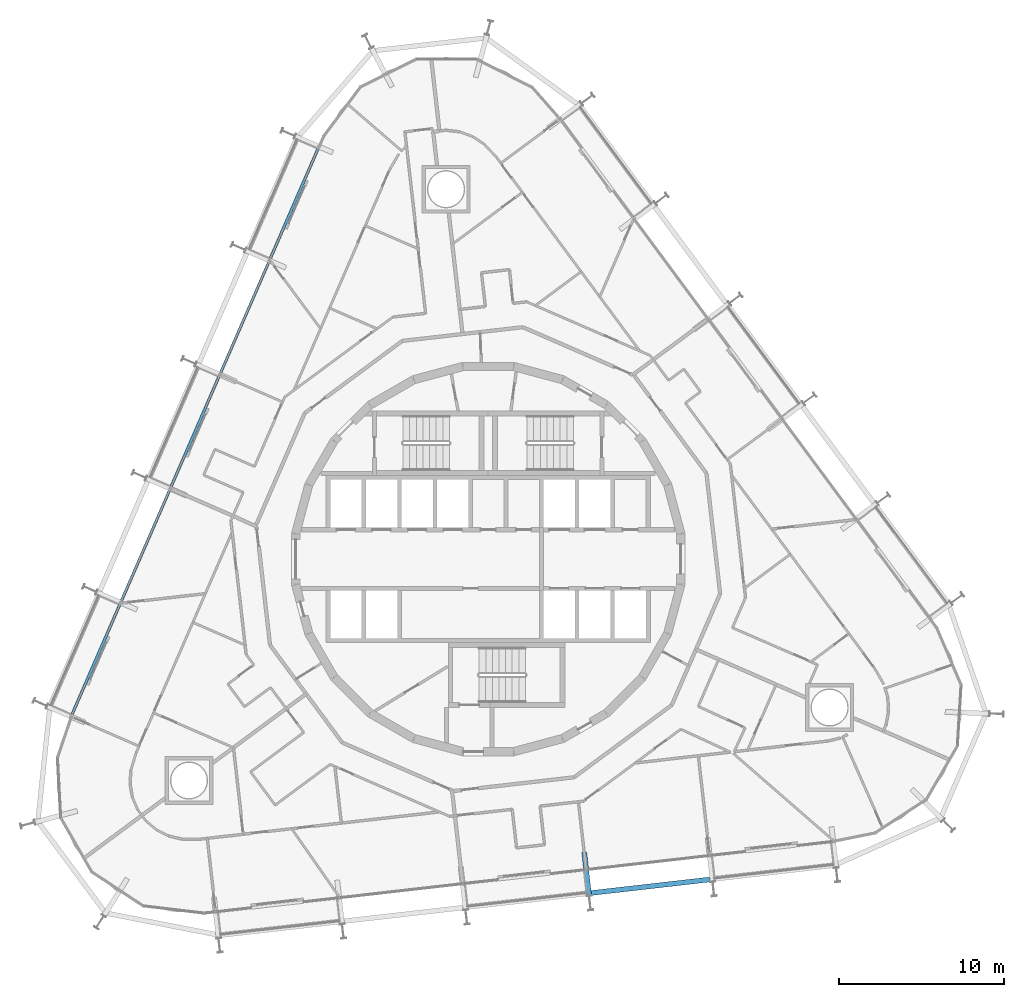
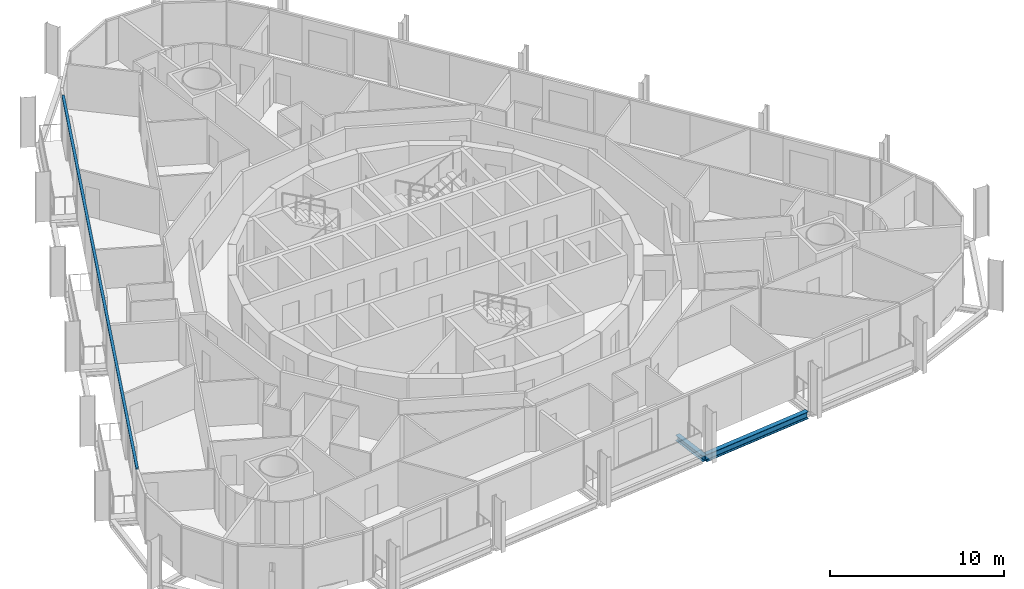
# One storey, part 6 of 24: 2 beams, 1 member, 1 element without a shape of its own.
"""IFC4 building model written with IfcOpenShell, lengths in metres."""

from ifc_helpers import new_model, si_unit, direction, frame, origin, origin_2d, place, context, subcontext, project, spatial, rectangle, i_section, extrude, material, layer, layer_set, material_profile, profile_set, type_object, element, aggregate, save


model = new_model("IFC4")

# Units and contexts
model_context = context("Model", 3, precision=1e-05, world=origin(), true_north=direction((0.0, 1.0)))
body_context = subcontext(model_context, "Body", "Model", "MODEL_VIEW")
ifc_project = project(units=[si_unit("LENGTHUNIT", "METRE"), si_unit("AREAUNIT", "SQUARE_METRE"), si_unit("VOLUMEUNIT", "CUBIC_METRE"), si_unit("PLANEANGLEUNIT", "RADIAN"), si_unit("MASSUNIT", "GRAM", prefix="KILO")], contexts=[model_context])

# Site, building, storey
site_placement = place(None, origin())
site = spatial("IfcSite", under=ifc_project, at=site_placement, CompositionType="ELEMENT")
building_placement = place(site_placement, origin())
building = spatial("IfcBuilding", under=site, at=building_placement, Name="Spindle Arch Residences", CompositionType="ELEMENT")
storey_placement = place(building_placement, frame((0.0, 0.0, 101.199951171875)))
storey = spatial("IfcBuildingStorey", under=building, at=storey_placement, Name="L24", CompositionType="ELEMENT", Elevation=101.199951171875)

# Curtain wall, member
ifc_material_1 = material(Name="Aluminium bronze unitised frame with tinted glass", Category="aluminium")
ifc_layer = layer(ifc_material_1, 0.159912109375)
ifc_layer_set = layer_set([ifc_layer], Name="CW-C typical residential unitised wall")
curtain_wall_type = type_object("IfcCurtainWallType", Name="CW-C typical residential unitised wall", PredefinedType="NOTDEFINED", material=ifc_layer_set)
curtain_wall_placement = place(storey_placement, origin())
curtain_wall = element("IfcCurtainWall", 1, at=curtain_wall_placement, inside=storey, type_object=curtain_wall_type, Name="CW-C L24 run 4", PredefinedType="NOTDEFINED")
ifc_material_2 = material(Name="Aluminium bronze anodised transom", Category="aluminium")
ifc_material_profile_1 = material_profile(ifc_material_2, rectangle(XDim=0.159912109375, YDim=0.1201171875, at=origin_2d()), Name="TR 120x160")
ifc_profile_set_1 = profile_set([ifc_material_profile_1], Name="Aluminium bronze anodised transom")
member_type = type_object("IfcMemberType", Name="Bronze transom 120x160", PredefinedType="USERDEFINED", material=ifc_profile_set_1)
member_placement = place(storey_placement, frame((-10.250244140625, 24.92138671875, 3.06005859375), z_axis=(-0.398750371211, -0.917059508134, 0.0), x_axis=(0.917059508134, -0.398750371211, 0.0)))
member = element("IfcMember", 2, at=member_placement, type_object=member_type, Name="CW-C transom 00", ObjectType="TRANSOM", PredefinedType="USERDEFINED", context=body_context, shape_type="SweptSolid", body=[
    extrude(rectangle(XDim=0.159912109375, YDim=0.1201171875, at=origin_2d()), origin(), (0.0, 0.0, 1.0), 37.5341796875),
])
aggregate(curtain_wall, [member])

# Beams
ifc_material_3 = material(Name="Steel S460ML, intumescent coating R 120", Category="steel")
ifc_material_profile_2 = material_profile(ifc_material_3, i_section(OverallWidth=0.300048828125, OverallDepth=0.5, WebThickness=0.014404296875, FlangeThickness=0.028076171875, FilletRadius=0.027099609375, at=origin_2d()), Name="HEB 500")
ifc_profile_set_2 = profile_set([ifc_material_profile_2], Name="Steel S460ML, intumescent coating R 120")
beam_type_1 = type_object("IfcBeamType", Name="Exoskeleton edge beam HEB 500", PredefinedType="BEAM", material=ifc_profile_set_2)
beam_1_placement = place(storey_placement, frame((6.2158203125, -20.19677734375, -0.6298828125), z_axis=(0.993570992395, 0.11321079044, 0.0), x_axis=(-0.11321079044, 0.993570992395, 0.0)))
element("IfcBeam", 3, at=beam_1_placement, inside=storey, type_object=beam_type_1, Name="Exoskeleton edge beam 1", PredefinedType="BEAM", context=body_context, shape_type="SweptSolid", body=[
    extrude(i_section(OverallWidth=0.300048828125, OverallDepth=0.5, WebThickness=0.014404296875, FlangeThickness=0.028076171875, FilletRadius=0.027099609375, at=origin_2d()), origin(), (0.0, 0.0, 1.0), 7.2587890625),
])
ifc_material_4 = material(Name="Steel S460ML, intumescent coating R 120", Category="steel")
ifc_material_profile_3 = material_profile(ifc_material_4, i_section(OverallWidth=0.300048828125, OverallDepth=0.389892578125, WebThickness=0.010986328125, FlangeThickness=0.01904296875, FilletRadius=0.027099609375, at=origin_2d()), Name="HEA 400")
ifc_profile_set_3 = profile_set([ifc_material_profile_3], Name="Steel S460ML, intumescent coating R 120")
beam_type_2 = type_object("IfcBeamType", Name="Floor outrigger HEA 400", PredefinedType="BEAM", material=ifc_profile_set_3)
beam_2_placement = place(storey_placement, frame((6.10205078125, -20.34765625, -0.574951171875), z_axis=(-0.113221808681, 0.993569736878, 0.0), x_axis=(-0.993569736878, -0.113221808681, 0.0)))
element("IfcBeam", 4, at=beam_2_placement, inside=storey, type_object=beam_type_2, Name="Floor outrigger 1", PredefinedType="BEAM", context=body_context, shape_type="SweptSolid", body=[
    extrude(i_section(OverallWidth=0.300048828125, OverallDepth=0.389892578125, WebThickness=0.010986328125, FlangeThickness=0.01904296875, FilletRadius=0.027099609375, at=origin_2d()), origin(), (0.0, 0.0, 1.0), 2.650146484375),
])

save(model, "model.ifc")
